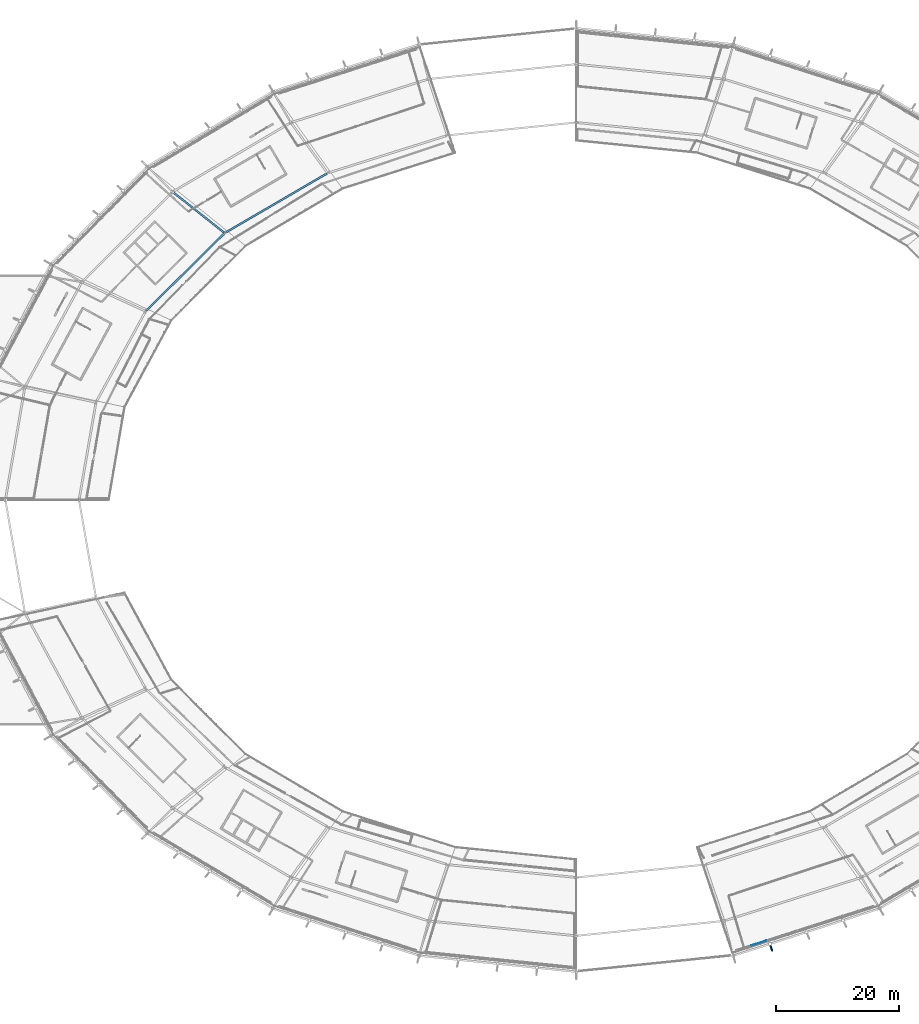
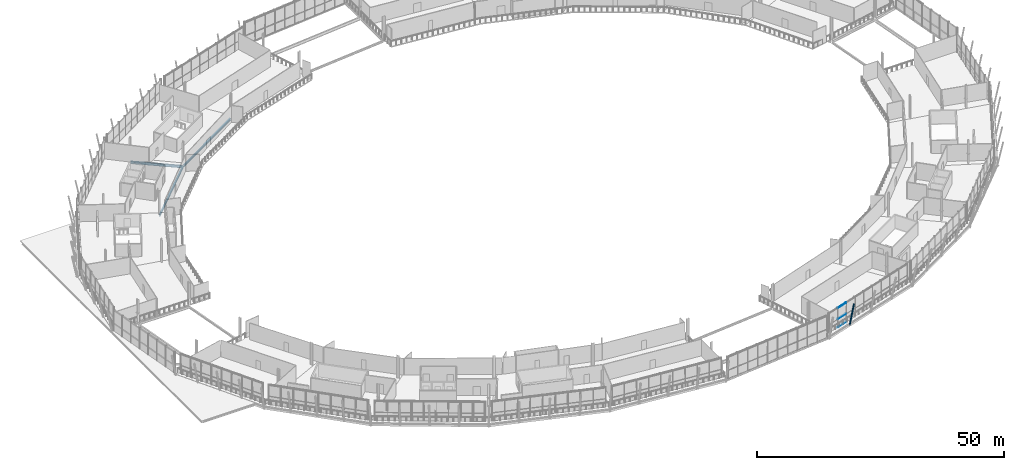
# One storey, part 30 of 99: 4 members, 3 beams, 1 element without a shape of its own.
"""IFC4 building model written with IfcOpenShell, lengths in metres."""

from ifc_helpers import new_model, si_unit, direction, frame, origin, origin_2d, place, context, subcontext, project, spatial, rectangle, hollow_circle, i_section, extrude, material, material_profile, profile_set, type_object, element, aggregate, save


model = new_model("IFC4")

# Units and contexts
model_context = context("Model", 3, precision=1e-05, world=origin(), true_north=direction((0.0, 1.0)))
body_context = subcontext(model_context, "Body", "Model", "MODEL_VIEW")
ifc_project = project(units=[si_unit("LENGTHUNIT", "METRE"), si_unit("AREAUNIT", "SQUARE_METRE"), si_unit("VOLUMEUNIT", "CUBIC_METRE"), si_unit("PLANEANGLEUNIT", "RADIAN"), si_unit("MASSUNIT", "GRAM", prefix="KILO")], contexts=[model_context])

# Site, building, storey
site_placement = place(None, origin())
site = spatial("IfcSite", under=ifc_project, at=site_placement, CompositionType="ELEMENT")
building_placement = place(site_placement, origin())
building = spatial("IfcBuilding", under=site, at=building_placement, Name="Zlatoyarsky Gate Stadium", CompositionType="ELEMENT")
storey_placement = place(building_placement, frame((0.0, 0.0, 26.199951171875)))
storey = spatial("IfcBuildingStorey", under=building, at=storey_placement, Name="L05", CompositionType="ELEMENT", Elevation=26.199951171875)

# Curtain wall, members
ifc_material_1 = material(Name="Thermally broken anodised aluminium curtain wall", Category="aluminium")
curtain_wall_type = type_object("IfcCurtainWallType", Name="UNITISED SKYBOX RING GLAZING L05", PredefinedType="USERDEFINED", material=ifc_material_1)
curtain_wall_placement = place(storey_placement, origin())
curtain_wall = element("IfcCurtainWall", 1, at=curtain_wall_placement, inside=storey, type_object=curtain_wall_type, Name="Curtain wall CW-L05-19", ObjectType="UNITISED GLAZING", PredefinedType="USERDEFINED")
ifc_material_2 = material(Name="Anodised aluminium 6063-T6", Category="aluminium")
ifc_material_profile_1 = material_profile(ifc_material_2, rectangle(XDim=0.06494140625, YDim=0.139892578125, at=origin_2d()), Name="ALU 65X140")
ifc_profile_set_1 = profile_set([ifc_material_profile_1], Name="Anodised aluminium 6063-T6")
member_type_1 = type_object("IfcMemberType", Name="ALUMINIUM TRANSOM 65X140", PredefinedType="USERDEFINED", material=ifc_profile_set_1)
member_1_placement = place(storey_placement, frame((139.5537109375, 7.427734375, 0.032470703125), z_axis=(0.952031545133, 0.305999897176, 0.0), x_axis=(-0.305999897176, 0.952031545133, 0.0)))
member_1 = element("IfcMember", 2, at=member_1_placement, type_object=member_type_1, Name="CW-UG5 transom 2.1", ObjectType="TRANSOM", PredefinedType="USERDEFINED", context=body_context, shape_type="SweptSolid", body=[
    extrude(rectangle(XDim=0.06494140625, YDim=0.139892578125, at=origin_2d()), origin(), (0.0, 0.0, 1.0), 2.553955078125),
])
member_2_placement = place(storey_placement, frame((139.5537109375, 7.427734375, 2.150146484375), z_axis=(0.952031545133, 0.305999897176, 0.0), x_axis=(-0.305999897176, 0.952031545133, 0.0)))
member_2 = element("IfcMember", 3, at=member_2_placement, type_object=member_type_1, Name="CW-UG5 transom 2.2", ObjectType="TRANSOM", PredefinedType="USERDEFINED", context=body_context, shape_type="SweptSolid", body=[
    extrude(rectangle(XDim=0.06494140625, YDim=0.139892578125, at=origin_2d()), origin(), (0.0, 0.0, 1.0), 2.553955078125),
])
member_3_placement = place(storey_placement, frame((139.5537109375, 7.427734375, 4.84765625), z_axis=(0.952031545133, 0.305999897176, 0.0), x_axis=(-0.305999897176, 0.952031545133, 0.0)))
member_3 = element("IfcMember", 4, at=member_3_placement, type_object=member_type_1, Name="CW-UG5 transom 2.3", ObjectType="TRANSOM", PredefinedType="USERDEFINED", context=body_context, shape_type="SweptSolid", body=[
    extrude(rectangle(XDim=0.06494140625, YDim=0.139892578125, at=origin_2d()), origin(), (0.0, 0.0, 1.0), 2.553955078125),
])
aggregate(curtain_wall, [member_1, member_2, member_3])

# Member
ifc_material_3 = material(Name="Steel S355", Category="steel")
ifc_material_profile_2 = material_profile(ifc_material_3, hollow_circle(Radius=0.177734375, WallThickness=0.02001953125, at=origin_2d()), Name="CHS 355.6X20")
ifc_profile_set_2 = profile_set([ifc_material_profile_2], Name="Steel S355")
member_type_2 = type_object("IfcMemberType", Name="STEEL LEANING RIB RING STRUT CHS 355.6X20", PredefinedType="STRUT", material=ifc_profile_set_2)
member_4_placement = place(storey_placement, frame((142.553466796875, 7.66162109375, -0.510009765625), z_axis=(0.063505816911, -0.18734638797, 0.980238920944), x_axis=(0.947068082299, 0.32103278258, 0.0)))
element("IfcMember", 5, at=member_4_placement, inside=storey, type_object=member_type_2, Name="Outward-leaning bowl louvre fin rib L05 19-1", PredefinedType="STRUT", context=body_context, shape_type="SweptSolid", body=[
    extrude(hollow_circle(Radius=0.177734375, WallThickness=0.02001953125, at=origin_2d()), origin(), (0.0, 0.0, 1.0), 5.774169921875),
])

# Beams
ifc_material_profile_3 = material_profile(ifc_material_3, i_section(OverallWidth=0.300048828125, OverallDepth=0.5, WebThickness=0.014404296875, FlangeThickness=0.028076171875, FilletRadius=0.027099609375, at=origin_2d()), Name="HEB 500")
ifc_profile_set_3 = profile_set([ifc_material_profile_3], Name="Steel S355")
beam_type_1 = type_object("IfcBeamType", Name="STEEL PRIMARY GIRDER HEB 500", PredefinedType="BEAM", material=ifc_profile_set_3)
beam_1_placement = place(storey_placement, frame((70.396240234375, 133.2001953125, -0.510009765625), z_axis=(-0.864054462945, -0.503398336375, 0.0), x_axis=(0.503398336375, -0.864054462945, 0.0)))
element("IfcBeam", 6, at=beam_1_placement, inside=storey, type_object=beam_type_1, Name="Beam G-HEB500 BM-L05-CRB-08", PredefinedType="BEAM", context=body_context, shape_type="SweptSolid", body=[
    extrude(i_section(OverallWidth=0.300048828125, OverallDepth=0.5, WebThickness=0.014404296875, FlangeThickness=0.028076171875, FilletRadius=0.027099609375, at=origin_2d()), origin(), (0.0, 0.0, 1.0), 19.1748046875),
])
beam_2_placement = place(storey_placement, frame((53.63916015625, 123.402587890625, -0.510009765625), z_axis=(-0.710840510009, -0.703353232259, 0.0), x_axis=(0.703353232259, -0.710840510009, 0.0)))
element("IfcBeam", 7, at=beam_2_placement, inside=storey, type_object=beam_type_1, Name="Beam G-HEB500 BM-L05-CRB-09", PredefinedType="BEAM", context=body_context, shape_type="SweptSolid", body=[
    extrude(i_section(OverallWidth=0.300048828125, OverallDepth=0.5, WebThickness=0.014404296875, FlangeThickness=0.028076171875, FilletRadius=0.027099609375, at=origin_2d()), origin(), (0.0, 0.0, 1.0), 17.868896484375),
])
ifc_material_profile_4 = material_profile(ifc_material_3, i_section(OverallWidth=0.300048828125, OverallDepth=0.60009765625, WebThickness=0.015380859375, FlangeThickness=0.030029296875, FilletRadius=0.027099609375, at=origin_2d()), Name="HEB 600")
ifc_profile_set_4 = profile_set([ifc_material_profile_4], Name="Steel S355")
beam_type_2 = type_object("IfcBeamType", Name="STEEL PRIMARY GIRDER HEB 600", PredefinedType="BEAM", material=ifc_profile_set_4)
beam_3_placement = place(storey_placement, frame((53.63037109375, 123.5615234375, -0.56005859375), z_axis=(-0.78404348542, 0.620705898933, 0.0), x_axis=(-0.620705898933, -0.78404348542, 0.0)))
element("IfcBeam", 8, at=beam_3_placement, inside=storey, type_object=beam_type_2, Name="Beam G-HEB600 BM-L05-RBC-09", PredefinedType="BEAM", context=body_context, shape_type="SweptSolid", body=[
    extrude(i_section(OverallWidth=0.300048828125, OverallDepth=0.60009765625, WebThickness=0.015380859375, FlangeThickness=0.030029296875, FilletRadius=0.027099609375, at=origin_2d()), origin(), (0.0, 0.0, 1.0), 10.58251953125),
])

save(model, "model.ifc")
